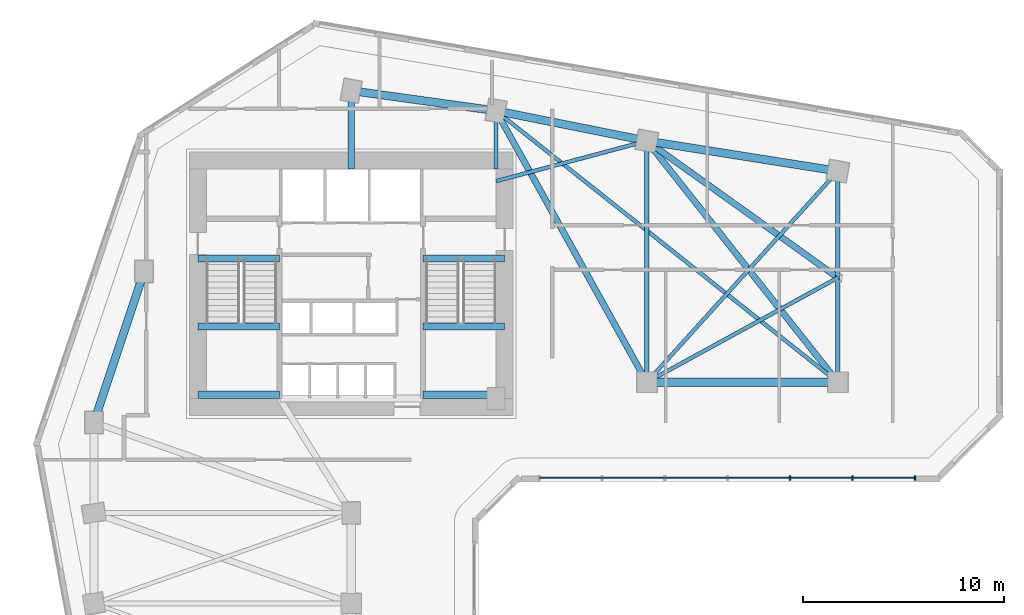
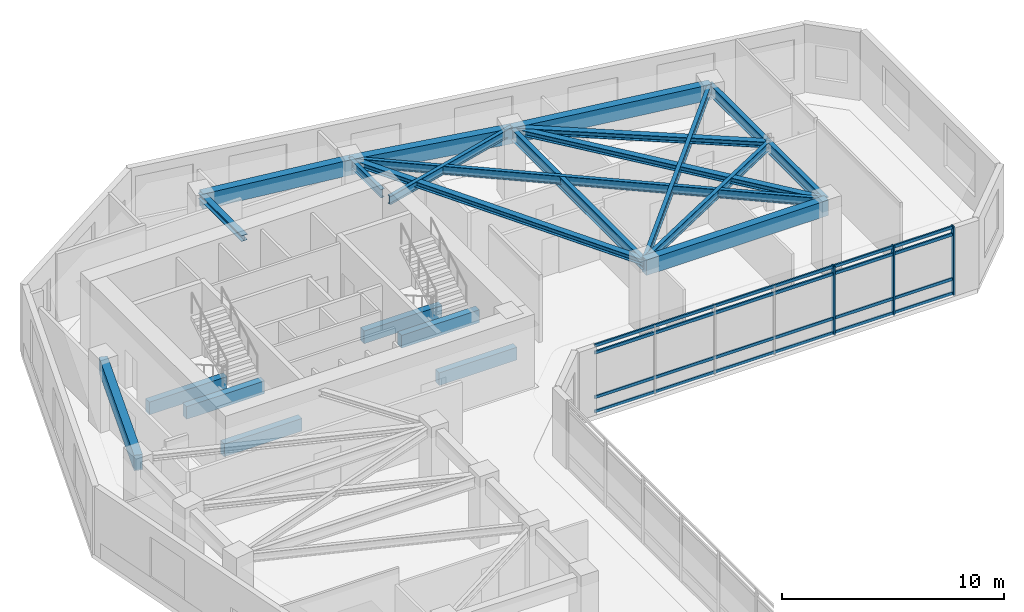
# One storey, part 3 of 9: 22 beams, 7 members, 1 element without a shape of its own.
"""IFC4 building model written with IfcOpenShell, lengths in metres."""

import ifcopenshell
import ifcopenshell.guid

model = None  # the IFC model being written
_history = None  # IfcOwnerHistory: only IFC2X3 demands one
_inside = {}  # id of a spatial element -> (the spatial element, [elements in it])
_under = {}  # id of a project, library or spatial element -> (it, [spatial elements below it])
_declared = {}  # id of a project -> (the project, [libraries it declares])
_typed = {}  # id of a type object -> (the type object, [elements of that type])
_made_of = {}  # id of a material, layer set ... -> (it, [elements and type objects made of it])


def new_model(schema):
    """Start an empty IFC model of exactly this schema.

    Asked for "IFC4X3", IfcOpenShell would pick the latest addendum, in which some entities
    have other attributes; the version numbers below select the first issue.
    IFC2X3 requires an IfcOwnerHistory on every rooted entity: one is made here for all.
    """
    global model, _history
    if schema == "IFC4X3":
        model = ifcopenshell.file(schema_version=(4, 3, 0, 0))
    else:
        model = ifcopenshell.file(schema=schema)
    _inside.clear()
    _under.clear()
    _declared.clear()
    _typed.clear()
    _made_of.clear()
    _history = None
    if model.schema == "IFC2X3":
        org = make("IfcOrganization", Name="unknown")
        user = make(
            "IfcPersonAndOrganization",
            ThePerson=make("IfcPerson", FamilyName="unknown"),
            TheOrganization=org,
        )
        app = make(
            "IfcApplication",
            ApplicationDeveloper=org,
            Version="unknown",
            ApplicationFullName="unknown",
            ApplicationIdentifier="unknown",
        )
        _history = make(
            "IfcOwnerHistory",
            OwningUser=user,
            OwningApplication=app,
            ChangeAction="ADDED",
            CreationDate=0,
        )
    return model


def make(cls, **values):
    """One entity of the class cls with the attributes given. An attribute that is None is left unset."""
    return model.create_entity(
        cls, **{name: value for name, value in values.items() if value is not None}
    )


def rooted(cls, **values):
    """An entity with a GlobalId (a new one), such as an element, a storey or a relation."""
    return make(cls, GlobalId=ifcopenshell.guid.new(), OwnerHistory=_history, **values)


def si_unit(unit_type, name, prefix=None):
    """IfcSIUnit, for example si_unit("LENGTHUNIT", "METRE", prefix="MILLI")."""
    return make("IfcSIUnit", UnitType=unit_type, Prefix=prefix, Name=name)


def assignment(units):
    """IfcUnitAssignment: the units of a project."""
    return None if units is None else make("IfcUnitAssignment", Units=units)


def point(xyz):
    """IfcCartesianPoint."""
    return None if xyz is None else make("IfcCartesianPoint", Coordinates=xyz)


def direction(xyz):
    """IfcDirection."""
    return None if xyz is None else make("IfcDirection", DirectionRatios=xyz)


def frame(location, z_axis=None, x_axis=None):
    """IfcAxis2Placement3D, a coordinate frame: its origin and axes. An axis left out is left unset."""
    return make(
        "IfcAxis2Placement3D",
        Location=point(location),
        Axis=direction(z_axis),
        RefDirection=direction(x_axis),
    )


def frame_2d(location, x_axis=None):
    """IfcAxis2Placement2D, a coordinate frame in the plane: its origin and x axis."""
    return make(
        "IfcAxis2Placement2D", Location=point(location), RefDirection=direction(x_axis)
    )


def origin():
    """The frame at (0, 0, 0) with its axes left unset."""
    return frame((0.0, 0.0, 0.0))


def origin_2d():
    """The frame at (0, 0) in the plane with its x axis left unset."""
    return frame_2d((0.0, 0.0))


def place(relative_to, where):
    """IfcLocalPlacement: puts the frame where relative to a parent placement (None: the world)."""
    return make(
        "IfcLocalPlacement", PlacementRelTo=relative_to, RelativePlacement=where
    )


def context(
    kind, dimensions, precision=None, world=None, true_north=None, identifier=None
):
    """IfcGeometricRepresentationContext, for example the 3D "Model" context."""
    return make(
        "IfcGeometricRepresentationContext",
        ContextIdentifier=identifier,
        ContextType=kind,
        CoordinateSpaceDimension=dimensions,
        Precision=precision,
        WorldCoordinateSystem=world,
        TrueNorth=true_north,
    )


def subcontext(parent, identifier, kind, view, scale=None):
    """IfcGeometricRepresentationSubContext, for example "Body" below "Model"."""
    return make(
        "IfcGeometricRepresentationSubContext",
        ContextIdentifier=identifier,
        ContextType=kind,
        ParentContext=parent,
        TargetScale=scale,
        TargetView=view,
    )


def project(units=None, contexts=None):
    """IfcProject with its units and contexts."""
    return rooted(
        "IfcProject",
        Name="project",
        RepresentationContexts=contexts,
        UnitsInContext=assignment(units),
    )


def spatial(cls, under=None, at=None, **own):
    """A site, building, storey or space (cls), placed at a placement, below another one or the project."""
    s = rooted(cls, ObjectPlacement=at, **own)
    if under is not None:
        _under.setdefault(under.id(), (under, []))[1].append(s)
    return s


def profile(cls, at=None, kind="AREA", **sizes):
    """A parametric profile (cls). Its sizes go by their IFC names, for example OverallWidth=200.0."""
    return make(cls, ProfileType=kind, Position=at, **sizes)


def rectangle(**sizes):
    """IfcRectangleProfileDef."""
    return profile("IfcRectangleProfileDef", **sizes)


def i_section(**sizes):
    """IfcIShapeProfileDef."""
    return profile("IfcIShapeProfileDef", **sizes)


def extrude(swept, where, along, depth):
    """IfcExtrudedAreaSolid: the profile swept, set in the frame where, extruded along a direction by depth."""
    return make(
        "IfcExtrudedAreaSolid",
        SweptArea=swept,
        Position=where,
        ExtrudedDirection=direction(along),
        Depth=depth,
    )


def shape(context_of_items, identifier, shape_type, items):
    """IfcShapeRepresentation: the items that make up one representation, for example the "Body"."""
    return make(
        "IfcShapeRepresentation",
        ContextOfItems=context_of_items,
        RepresentationIdentifier=identifier,
        RepresentationType=shape_type,
        Items=items,
    )


def source(mapping_origin, context_of_items, identifier, shape_type, items):
    """IfcRepresentationMap: a shape defined once, which mapped items show again and again."""
    return make(
        "IfcRepresentationMap",
        MappingOrigin=mapping_origin,
        MappedRepresentation=shape(context_of_items, identifier, shape_type, items),
    )


def transform(
    local_origin,
    x_axis=None,
    y_axis=None,
    z_axis=None,
    scale=None,
    scale2=None,
    scale3=None,
    uniform=True,
):
    """IfcCartesianTransformationOperator3D, or its non-uniform kind. x_axis, y_axis, z_axis: its Axis1, 2, 3."""
    if uniform:
        return make(
            "IfcCartesianTransformationOperator3D",
            Axis1=direction(x_axis),
            Axis2=direction(y_axis),
            LocalOrigin=point(local_origin),
            Scale=scale,
            Axis3=direction(z_axis),
        )
    return make(
        "IfcCartesianTransformationOperator3DnonUniform",
        Axis1=direction(x_axis),
        Axis2=direction(y_axis),
        LocalOrigin=point(local_origin),
        Scale=scale,
        Axis3=direction(z_axis),
        Scale2=scale2,
        Scale3=scale3,
    )


def mapped(mapping_source, mapping_target):
    """IfcMappedItem: shows the shape of a source again, moved by a transform."""
    return make(
        "IfcMappedItem", MappingSource=mapping_source, MappingTarget=mapping_target
    )


def material(Name=None, Category=None):
    """IfcMaterial."""
    return make("IfcMaterial", Name=Name, Category=Category)


def material_profile(
    of_material, cross_section, Name=None, Category=None, Priority=None
):
    """IfcMaterialProfile: a cross section and its material."""
    return make(
        "IfcMaterialProfile",
        Name=Name,
        Material=of_material,
        Profile=cross_section,
        Priority=Priority,
        Category=Category,
    )


def profile_set(profiles, Name=None, composite=None):
    """IfcMaterialProfileSet."""
    return make(
        "IfcMaterialProfileSet",
        Name=Name,
        MaterialProfiles=profiles,
        CompositeProfile=composite,
    )


def made_of(thing, what):
    """Note that an element or type object is made of a material, layer set ...; save() writes the relation."""
    if what is not None:
        _made_of.setdefault(what.id(), (what, []))[1].append(thing)
    return thing


def type_object(cls, material=None, **own):
    """A type object (cls), such as IfcWallType, which elements share."""
    return made_of(rooted(cls, **own), material)


def element(
    cls,
    number,
    at=None,
    inside=None,
    cuts=None,
    type_object=None,
    material=None,
    context=None,
    identifier="Body",
    shape_type=None,
    held_by="IfcProductDefinitionShape",
    body=None,
    shapes=None,
    **own,
):
    """One element of the class cls, such as IfcWall. Its Tag is "e" and its number.

    at: its placement. inside: the storey or other place that contains it. cuts: it is an
    opening in that element (IfcRelVoidsElement). A single representation is given by context,
    identifier, shape_type and body (its items); several are given by shapes. held_by: the class
    of the entity that holds the representations. save() writes the other relations.
    """
    e = rooted(cls, Tag="e%d" % number, ObjectPlacement=at, **own)
    if body is not None:
        shapes = [shape(context, identifier, shape_type, body)]
    if shapes is not None:
        e.Representation = make(held_by, Representations=shapes)
    if inside is not None:
        _inside.setdefault(inside.id(), (inside, []))[1].append(e)
    if cuts is not None:
        rooted(
            "IfcRelVoidsElement", RelatingBuildingElement=cuts, RelatedOpeningElement=e
        )
    if type_object is not None:
        _typed.setdefault(type_object.id(), (type_object, []))[1].append(e)
    return made_of(e, material)


def aggregate(whole, parts):
    """IfcRelAggregates: a whole, such as a stair, and the parts it consists of."""
    return rooted("IfcRelAggregates", RelatingObject=whole, RelatedObjects=parts)


def save(model, path):
    """Write the relations noted so far, then the file.

    IfcRelAggregates (storeys below a building ...), IfcRelContainedInSpatialStructure (elements
    in a storey), IfcRelDefinesByType, IfcRelAssociatesMaterial and IfcRelDeclares: one each for
    every whole, place, type object, material and project.
    """
    for whole, parts in _under.values():
        aggregate(whole, parts)
    for where, things in _inside.values():
        rooted(
            "IfcRelContainedInSpatialStructure",
            RelatedElements=things,
            RelatingStructure=where,
        )
    for kind, things in _typed.values():
        rooted("IfcRelDefinesByType", RelatedObjects=things, RelatingType=kind)
    for what, things in _made_of.values():
        rooted("IfcRelAssociatesMaterial", RelatedObjects=things, RelatingMaterial=what)
    for by, libraries in _declared.values():
        rooted("IfcRelDeclares", RelatingContext=by, RelatedDefinitions=libraries)
    model.write(path)


model = new_model("IFC4")

# Units and contexts
model_context = context("Model", 3, precision=1e-05, world=origin(), true_north=direction((0.0, 1.0)))
body_context = subcontext(model_context, "Body", "Model", "MODEL_VIEW")
ifc_project = project(units=[si_unit("LENGTHUNIT", "METRE"), si_unit("AREAUNIT", "SQUARE_METRE"), si_unit("VOLUMEUNIT", "CUBIC_METRE"), si_unit("PLANEANGLEUNIT", "RADIAN"), si_unit("MASSUNIT", "GRAM", prefix="KILO")], contexts=[model_context])

# Site, building, storey
site_placement = place(None, origin())
site = spatial("IfcSite", under=ifc_project, at=site_placement, CompositionType="ELEMENT")
building_placement = place(site_placement, origin())
building = spatial("IfcBuilding", under=site, at=building_placement, Name="Calvemar Wedge Station Tower", CompositionType="ELEMENT")
storey_placement = place(building_placement, frame((0.0, 0.0, 67.0)))
storey = spatial("IfcBuildingStorey", under=building, at=storey_placement, Name="L16", CompositionType="ELEMENT", Elevation=67.0)

# Beams
ifc_material_1 = material(Name="Concrete C70", Category="concrete")
ifc_material_profile_1 = material_profile(ifc_material_1, rectangle(XDim=0.35009765625, YDim=0.699951171875, at=origin_2d()), Name="RC350x700")
ifc_profile_set_1 = profile_set([ifc_material_profile_1], Name="Concrete C70")
beam_type_1 = type_object("IfcBeamType", Name="BM-LN1-700", PredefinedType="LINTEL", material=ifc_profile_set_1)
shared_shape_1 = source(origin(), body_context, "Body", "SweptSolid", [
    extrude(rectangle(XDim=0.35009765625, YDim=0.699951171875, at=origin_2d()), origin(), (0.0, 0.0, 1.0), 4.054931640625),
])
for number, where, z_axis, x_axis, name in (
    (1, (16.175048828125, 41.14990234375, -0.35009765625), (1.0, 0.0, 0.0), (0.0, 1.0, 0.0), "Storey L16 Stair ST-C1 Landing Trimmer Beam"),
    (2, (27.3701171875, 41.14990234375, -0.35009765625), (1.0, 0.0, 0.0), (0.0, 1.0, 0.0), "Storey L16 Stair ST-C2 Landing Trimmer Beam"),
    (3, (16.175048828125, 34.3798828125, 1.449951171875), (1.0, 0.0, 0.0), (0.0, 1.0, 0.0), "Storey L16 Stair ST-C1 Half-Landing Beam 1A"),
    (4, (16.175048828125, 37.780029296875, 1.449951171875), (1.0, 0.0, 0.0), (0.0, 1.0, 0.0), "Storey L16 Stair ST-C1 Half-Landing Beam 1B"),
    (5, (27.3701171875, 34.3798828125, 1.449951171875), (1.0, 0.0, 0.0), (0.0, 1.0, 0.0), "Storey L16 Stair ST-C2 Half-Landing Beam 1A"),
    (6, (27.3701171875, 37.780029296875, 1.449951171875), (1.0, 0.0, 0.0), (0.0, 1.0, 0.0), "Storey L16 Stair ST-C2 Half-Landing Beam 1B"),
):
    element("IfcBeam", number, at=place(storey_placement, frame(where, z_axis=z_axis, x_axis=x_axis)), inside=storey, type_object=beam_type_1, Name=name, PredefinedType="LINTEL", context=body_context, shape_type="MappedRepresentation", body=[
        mapped(shared_shape_1, transform((0.0, 0.0, 0.0), scale=1.0)),
    ])
ifc_material_2 = material(Name="Concrete C60", Category="concrete")
ifc_material_profile_2 = material_profile(ifc_material_2, rectangle(XDim=0.39990234375, YDim=0.85009765625, at=origin_2d()), Name="RC400x850")
ifc_profile_set_2 = profile_set([ifc_material_profile_2], Name="Concrete C60")
beam_type_2 = type_object("IfcBeamType", Name="BM-SP1-850", PredefinedType="SPANDREL", material=ifc_profile_set_2)
shared_shape_2 = source(origin(), body_context, "Body", "SweptSolid", [
    extrude(rectangle(XDim=0.39990234375, YDim=0.85009765625, at=origin_2d()), origin(), (0.0, 0.0, 1.0), 7.90576171875),
])
beam_1_placement = place(storey_placement, frame((11.0, 33.0, 3.324951171875), z_axis=(0.316227766017, 0.948683298051, 0.0), x_axis=(-0.948683298051, 0.316227766017, 0.0)))
element("IfcBeam", 7, at=beam_1_placement, inside=storey, type_object=beam_type_2, Name="Storey L16 Spandrel T-NW1-T-NW2", PredefinedType="SPANDREL", context=body_context, shape_type="MappedRepresentation", body=[
    mapped(shared_shape_2, transform((0.0, 0.0, 0.0), scale=1.0)),
])
shared_shape_3 = source(origin(), body_context, "Body", "SweptSolid", [
    extrude(rectangle(XDim=0.39990234375, YDim=0.85009765625, at=origin_2d()), origin(), (0.0, 0.0, 1.0), 7.26904296875),
])
beam_2_placement = place(storey_placement, frame((23.800048828125, 49.5, 3.324951171875), z_axis=(0.990492146053, -0.13756928657, 0.0), x_axis=(0.13756928657, 0.990492146053, 0.0)))
element("IfcBeam", 8, at=beam_2_placement, inside=storey, type_object=beam_type_2, Name="Storey L16 Spandrel T-N1-T-N2", PredefinedType="SPANDREL", context=body_context, shape_type="MappedRepresentation", body=[
    mapped(shared_shape_3, transform((0.0, 0.0, 0.0), scale=1.0)),
])
shared_shape_4 = source(origin(), body_context, "Body", "SweptSolid", [
    extrude(rectangle(XDim=0.39990234375, YDim=0.85009765625, at=origin_2d()), origin(), (0.0, 0.0, 1.0), 7.6484375),
])
beam_3_placement = place(storey_placement, frame((31.0, 48.5, 3.324951171875), z_axis=(0.980580675691, -0.196116135138, 0.0), x_axis=(0.196116135138, 0.980580675691, 0.0)))
element("IfcBeam", 9, at=beam_3_placement, inside=storey, type_object=beam_type_2, Name="Storey L16 Spandrel T-N2-T-NU3", PredefinedType="SPANDREL", context=body_context, shape_type="MappedRepresentation", body=[
    mapped(shared_shape_4, transform((0.0, 0.0, 0.0), scale=1.0)),
])
shared_shape_5 = source(origin(), body_context, "Body", "SweptSolid", [
    extrude(rectangle(XDim=0.39990234375, YDim=0.85009765625, at=origin_2d()), origin(), (0.0, 0.0, 1.0), 9.61767578125),
])
beam_4_placement = place(storey_placement, frame((38.5, 47.0, 3.324951171875), z_axis=(0.987762965329, -0.155962573473, 0.0), x_axis=(0.155962573473, 0.987762965329, 0.0)))
element("IfcBeam", 10, at=beam_4_placement, inside=storey, type_object=beam_type_2, Name="Storey L16 Spandrel T-NU3-T-NU4", PredefinedType="SPANDREL", context=body_context, shape_type="MappedRepresentation", body=[
    mapped(shared_shape_5, transform((0.0, 0.0, 0.0), scale=1.0)),
])
shared_shape_6 = source(origin(), body_context, "Body", "SweptSolid", [
    extrude(rectangle(XDim=0.39990234375, YDim=0.85009765625, at=origin_2d()), origin(), (0.0, 0.0, 1.0), 9.5),
])
beam_5_placement = place(storey_placement, frame((38.5, 35.0, 3.324951171875), z_axis=(1.0, 0.0, 0.0), x_axis=(0.0, 1.0, 0.0)))
element("IfcBeam", 11, at=beam_5_placement, inside=storey, type_object=beam_type_2, Name="Storey L16 Spandrel T-NL2-T-NL3", PredefinedType="SPANDREL", context=body_context, shape_type="MappedRepresentation", body=[
    mapped(shared_shape_6, transform((0.0, 0.0, 0.0), scale=1.0)),
])
ifc_material_3 = material(Name="Structural steel ASTM A572 Grade 50", Category="steel")
ifc_material_profile_3 = material_profile(ifc_material_3, i_section(OverallWidth=0.22998046875, OverallDepth=0.616943359375, WebThickness=0.01318359375, FlangeThickness=0.022216796875, FilletRadius=0.012939453125, at=origin_2d()), Name="W610x140")
ifc_profile_set_3 = profile_set([ifc_material_profile_3], Name="Structural steel ASTM A572 Grade 50")
beam_type_3 = type_object("IfcBeamType", Name="BM-SB2-W610", PredefinedType="BEAM", material=ifc_profile_set_3)
shared_shape_7 = source(origin(), body_context, "Body", "SweptSolid", [
    extrude(i_section(OverallWidth=0.22998046875, OverallDepth=0.616943359375, WebThickness=0.01318359375, FlangeThickness=0.022216796875, FilletRadius=0.012939453125, at=origin_2d()), origin(), (0.0, 0.0, 1.0), 12.0),
])
beam_6_placement = place(storey_placement, frame((38.5, 47.0, 3.44140625), z_axis=(0.0, -1.0, 0.0), x_axis=(1.0, 0.0, 0.0)))
element("IfcBeam", 12, at=beam_6_placement, inside=storey, type_object=beam_type_3, Name="Storey L16 Floor Beam T-NU3-T-NL2", PredefinedType="BEAM", context=body_context, shape_type="MappedRepresentation", body=[
    mapped(shared_shape_7, transform((0.0, 0.0, 0.0), scale=1.0)),
])
shared_shape_8 = source(origin(), body_context, "Body", "SweptSolid", [
    extrude(i_section(OverallWidth=0.22998046875, OverallDepth=0.616943359375, WebThickness=0.01318359375, FlangeThickness=0.022216796875, FilletRadius=0.012939453125, at=origin_2d()), origin(), (0.0, 0.0, 1.0), 10.5),
])
beam_7_placement = place(storey_placement, frame((48.0, 45.5, 3.44140625), z_axis=(0.0, -1.0, 0.0), x_axis=(1.0, 0.0, 0.0)))
element("IfcBeam", 13, at=beam_7_placement, inside=storey, type_object=beam_type_3, Name="Storey L16 Floor Beam T-NU4-T-NL3", PredefinedType="BEAM", context=body_context, shape_type="MappedRepresentation", body=[
    mapped(shared_shape_8, transform((0.0, 0.0, 0.0), scale=1.0)),
])
ifc_material_profile_4 = material_profile(ifc_material_3, i_section(OverallWidth=0.30908203125, OverallDepth=0.322998046875, WebThickness=0.013916015625, FlangeThickness=0.02294921875, FilletRadius=0.014892578125, at=origin_2d()), Name="W310x143")
ifc_profile_set_4 = profile_set([ifc_material_profile_4], Name="Structural steel ASTM A572 Grade 50")
beam_type_4 = type_object("IfcBeamType", Name="BM-J5-W310H", PredefinedType="JOIST", material=ifc_profile_set_4)
shared_shape_9 = source(origin(), body_context, "Body", "SweptSolid", [
    extrude(i_section(OverallWidth=0.30908203125, OverallDepth=0.322998046875, WebThickness=0.013916015625, FlangeThickness=0.02294921875, FilletRadius=0.014892578125, at=origin_2d()), origin(), (0.0, 0.0, 1.0), 15.443359375),
])
beam_8_placement = place(storey_placement, frame((31.0, 48.5, 3.58837890625), z_axis=(0.485642931179, -0.874157276122, 0.0), x_axis=(0.874157276122, 0.485642931179, 0.0)))
element("IfcBeam", 14, at=beam_8_placement, inside=storey, type_object=beam_type_4, Name="Storey L16 Floor Beam T-N2-T-NL2", PredefinedType="JOIST", context=body_context, shape_type="MappedRepresentation", body=[
    mapped(shared_shape_9, transform((0.0, 0.0, 0.0), scale=1.0)),
])
ifc_material_profile_5 = material_profile(ifc_material_3, i_section(OverallWidth=0.19189453125, OverallDepth=0.462890625, WebThickness=0.010498046875, FlangeThickness=0.017578125, FilletRadius=0.012939453125, at=origin_2d()), Name="W460x89")
ifc_profile_set_5 = profile_set([ifc_material_profile_5], Name="Structural steel ASTM A572 Grade 50")
beam_type_5 = type_object("IfcBeamType", Name="BM-J1-W460", PredefinedType="JOIST", material=ifc_profile_set_5)
shared_shape_10 = source(origin(), body_context, "Body", "SweptSolid", [
    extrude(i_section(OverallWidth=0.19189453125, OverallDepth=0.462890625, WebThickness=0.010498046875, FlangeThickness=0.017578125, FilletRadius=0.012939453125, at=origin_2d()), origin(), (0.0, 0.0, 1.0), 21.708251953125),
])
beam_9_placement = place(storey_placement, frame((31.0, 48.5, 3.5185546875), z_axis=(0.783110847498, -0.621882143602, 0.0), x_axis=(0.621882143602, 0.783110847498, 0.0)))
element("IfcBeam", 15, at=beam_9_placement, inside=storey, type_object=beam_type_5, Name="Storey L16 Floor Beam T-N2-T-NL3", PredefinedType="JOIST", context=body_context, shape_type="MappedRepresentation", body=[
    mapped(shared_shape_10, transform((0.0, 0.0, 0.0), scale=1.0)),
])
shared_shape_11 = source(origin(), body_context, "Body", "SweptSolid", [
    extrude(i_section(OverallWidth=0.30908203125, OverallDepth=0.322998046875, WebThickness=0.013916015625, FlangeThickness=0.02294921875, FilletRadius=0.014892578125, at=origin_2d()), origin(), (0.0, 0.0, 1.0), 15.30517578125),
])
beam_10_placement = place(storey_placement, frame((38.5, 47.0, 3.58837890625), z_axis=(0.620702944366, -0.784045824462, 0.0), x_axis=(0.784045824462, 0.620702944366, 0.0)))
element("IfcBeam", 16, at=beam_10_placement, inside=storey, type_object=beam_type_4, Name="Storey L16 Floor Beam T-NU3-T-NL3", PredefinedType="JOIST", context=body_context, shape_type="MappedRepresentation", body=[
    mapped(shared_shape_11, transform((0.0, 0.0, 0.0), scale=1.0)),
])
shared_shape_12 = source(origin(), body_context, "Body", "SweptSolid", [
    extrude(i_section(OverallWidth=0.19189453125, OverallDepth=0.462890625, WebThickness=0.010498046875, FlangeThickness=0.017578125, FilletRadius=0.012939453125, at=origin_2d()), origin(), (0.0, 0.0, 1.0), 14.159912109375),
])
beam_11_placement = place(storey_placement, frame((38.5, 35.0, 3.5185546875), z_axis=(0.670913323969, 0.741535779124, 0.0), x_axis=(-0.741535779124, 0.670913323969, 0.0)))
element("IfcBeam", 17, at=beam_11_placement, inside=storey, type_object=beam_type_5, Name="Storey L16 Floor Beam T-NL2-T-NU4", PredefinedType="JOIST", context=body_context, shape_type="MappedRepresentation", body=[
    mapped(shared_shape_12, transform((0.0, 0.0, 0.0), scale=1.0)),
])
shared_shape_13 = source(origin(), body_context, "Body", "SweptSolid", [
    extrude(i_section(OverallWidth=0.30908203125, OverallDepth=0.322998046875, WebThickness=0.013916015625, FlangeThickness=0.02294921875, FilletRadius=0.014892578125, at=origin_2d()), origin(), (0.0, 0.0, 1.0), 11.682861328125),
])
beam_12_placement = place(storey_placement, frame((48.0, 40.199951171875, 3.58837890625), z_axis=(-0.81315274409, 0.582050354161, 0.0), x_axis=(-0.582050354161, -0.81315274409, 0.0)))
element("IfcBeam", 18, at=beam_12_placement, inside=storey, type_object=beam_type_4, Name="Storey L16 Floor Beam T-NTIP-A-T-NU3", PredefinedType="JOIST", context=body_context, shape_type="MappedRepresentation", body=[
    mapped(shared_shape_13, transform((0.0, 0.0, 0.0), scale=1.0)),
])
shared_shape_14 = source(origin(), body_context, "Body", "SweptSolid", [
    extrude(i_section(OverallWidth=0.19189453125, OverallDepth=0.462890625, WebThickness=0.010498046875, FlangeThickness=0.017578125, FilletRadius=0.012939453125, at=origin_2d()), origin(), (0.0, 0.0, 1.0), 10.830078125),
])
beam_13_placement = place(storey_placement, frame((48.0, 40.199951171875, 3.5185546875), z_axis=(-0.877190767997, -0.480142017053, 0.0), x_axis=(0.480142017053, -0.877190767997, 0.0)))
element("IfcBeam", 19, at=beam_13_placement, inside=storey, type_object=beam_type_5, Name="Storey L16 Floor Beam T-NTIP-A-T-NL2", PredefinedType="JOIST", context=body_context, shape_type="MappedRepresentation", body=[
    mapped(shared_shape_14, transform((0.0, 0.0, 0.0), scale=1.0)),
])
shared_shape_15 = source(origin(), body_context, "Body", "SweptSolid", [
    extrude(i_section(OverallWidth=0.19189453125, OverallDepth=0.462890625, WebThickness=0.010498046875, FlangeThickness=0.017578125, FilletRadius=0.012939453125, at=origin_2d()), origin(), (0.0, 0.0, 1.0), 7.76220703125),
])
beam_14_placement = place(storey_placement, frame((31.0, 45.0, 3.5185546875), z_axis=(0.966234939601, 0.25766265056, 0.0), x_axis=(-0.25766265056, 0.966234939601, 0.0)))
element("IfcBeam", 20, at=beam_14_placement, inside=storey, type_object=beam_type_5, Name="Storey L16 Core-to-Column Joist CJ-E2", PredefinedType="JOIST", context=body_context, shape_type="MappedRepresentation", body=[
    mapped(shared_shape_15, transform((0.0, 0.0, 0.0), scale=1.0)),
])
shared_shape_16 = source(origin(), body_context, "Body", "SweptSolid", [
    extrude(i_section(OverallWidth=0.30908203125, OverallDepth=0.322998046875, WebThickness=0.013916015625, FlangeThickness=0.02294921875, FilletRadius=0.014892578125, at=origin_2d()), origin(), (0.0, 0.0, 1.0), 3.89990234375),
])
beam_15_placement = place(storey_placement, frame((23.800048828125, 45.60009765625, 3.58837890625), z_axis=(0.0, 1.0, 0.0), x_axis=(-1.0, 0.0, 0.0)))
element("IfcBeam", 21, at=beam_15_placement, inside=storey, type_object=beam_type_4, Name="Storey L16 Core-to-Column Joist CJ-N1", PredefinedType="JOIST", context=body_context, shape_type="MappedRepresentation", body=[
    mapped(shared_shape_16, transform((0.0, 0.0, 0.0), scale=1.0)),
])
shared_shape_17 = source(origin(), body_context, "Body", "SweptSolid", [
    extrude(i_section(OverallWidth=0.19189453125, OverallDepth=0.462890625, WebThickness=0.010498046875, FlangeThickness=0.017578125, FilletRadius=0.012939453125, at=origin_2d()), origin(), (0.0, 0.0, 1.0), 2.89990234375),
])
beam_16_placement = place(storey_placement, frame((31.0, 45.60009765625, 3.5185546875), z_axis=(0.0, 1.0, 0.0), x_axis=(-1.0, 0.0, 0.0)))
element("IfcBeam", 22, at=beam_16_placement, inside=storey, type_object=beam_type_5, Name="Storey L16 Core-to-Column Joist CJ-N2", PredefinedType="JOIST", context=body_context, shape_type="MappedRepresentation", body=[
    mapped(shared_shape_17, transform((0.0, 0.0, 0.0), scale=1.0)),
])

# Curtain wall, members
ifc_material_4 = material(Name="Anodised aluminium 6063-T6", Category="aluminium")
curtain_wall_type = type_object("IfcCurtainWallType", Name="CW1", PredefinedType="NOTDEFINED", material=ifc_material_4)
curtain_wall_placement = place(storey_placement, origin())
curtain_wall = element("IfcCurtainWall", 23, at=curtain_wall_placement, inside=storey, type_object=curtain_wall_type, Name="Storey L16 CW1 Recessed Unitised Curtain Wall 6", PredefinedType="NOTDEFINED")
ifc_material_profile_6 = material_profile(ifc_material_4, rectangle(XDim=0.080078125, YDim=0.219970703125, at=origin_2d()), Name="AL-MUL-80x220")
ifc_profile_set_6 = profile_set([ifc_material_profile_6], Name="Anodised aluminium 6063-T6")
member_type_1 = type_object("IfcMemberType", Name="CW1-MUL", PredefinedType="MULLION", material=ifc_profile_set_6)
shared_shape_18 = source(origin(), body_context, "Body", "SweptSolid", [
    extrude(rectangle(XDim=0.080078125, YDim=0.219970703125, at=origin_2d()), origin(), (0.0, 0.0, 1.0), 3.800048828125),
])
member_1_placement = place(storey_placement, frame((45.614013671875, 30.238037109375, -0.050048828125), z_axis=(0.0, 0.0, 1.0), x_axis=(1.0, 0.0, 0.0)))
member_1 = element("IfcMember", 24, at=member_1_placement, type_object=member_type_1, Name="CW1 mullion 5", PredefinedType="MULLION", context=body_context, shape_type="MappedRepresentation", body=[
    mapped(shared_shape_18, transform((0.0, 0.0, 0.0), scale=1.0)),
])
member_2_placement = place(storey_placement, frame((48.725830078125, 30.238037109375, -0.050048828125), z_axis=(0.0, 0.0, 1.0), x_axis=(1.0, 0.0, 0.0)))
member_2 = element("IfcMember", 25, at=member_2_placement, type_object=member_type_1, Name="CW1 mullion 6", PredefinedType="MULLION", context=body_context, shape_type="MappedRepresentation", body=[
    mapped(shared_shape_18, transform((0.0, 0.0, 0.0), scale=1.0)),
])
member_3_placement = place(storey_placement, frame((51.837890625, 30.238037109375, -0.050048828125), z_axis=(0.0, 0.0, 1.0), x_axis=(1.0, 0.0, 0.0)))
member_3 = element("IfcMember", 26, at=member_3_placement, type_object=member_type_1, Name="CW1 mullion 7", PredefinedType="MULLION", context=body_context, shape_type="MappedRepresentation", body=[
    mapped(shared_shape_18, transform((0.0, 0.0, 0.0), scale=1.0)),
])
ifc_material_profile_7 = material_profile(ifc_material_4, rectangle(XDim=0.080078125, YDim=0.159912109375, at=origin_2d()), Name="AL-TRN-80x160")
ifc_profile_set_7 = profile_set([ifc_material_profile_7], Name="Anodised aluminium 6063-T6")
member_type_2 = type_object("IfcMemberType", Name="CW1-TRN", PredefinedType="USERDEFINED", material=ifc_profile_set_7)
shared_shape_19 = source(origin(), body_context, "Body", "SweptSolid", [
    extrude(rectangle(XDim=0.080078125, YDim=0.159912109375, at=origin_2d()), origin(), (0.0, 0.0, 1.0), 18.671875),
])
member_4_placement = place(storey_placement, frame((33.166015625, 30.238037109375, 0.06005859375), z_axis=(1.0, 0.0, 0.0), x_axis=(0.0, 1.0, 0.0)))
member_4 = element("IfcMember", 27, at=member_4_placement, type_object=member_type_2, Name="CW1 transom 1", ObjectType="TRANSOM", PredefinedType="USERDEFINED", context=body_context, shape_type="MappedRepresentation", body=[
    mapped(shared_shape_19, transform((0.0, 0.0, 0.0), scale=1.0)),
])
member_5_placement = place(storey_placement, frame((33.166015625, 30.238037109375, 0.85009765625), z_axis=(1.0, 0.0, 0.0), x_axis=(0.0, 1.0, 0.0)))
member_5 = element("IfcMember", 28, at=member_5_placement, type_object=member_type_2, Name="CW1 transom 2", ObjectType="TRANSOM", PredefinedType="USERDEFINED", context=body_context, shape_type="MappedRepresentation", body=[
    mapped(shared_shape_19, transform((0.0, 0.0, 0.0), scale=1.0)),
])
member_6_placement = place(storey_placement, frame((33.166015625, 30.238037109375, 3.300048828125), z_axis=(1.0, 0.0, 0.0), x_axis=(0.0, 1.0, 0.0)))
member_6 = element("IfcMember", 29, at=member_6_placement, type_object=member_type_2, Name="CW1 transom 3", ObjectType="TRANSOM", PredefinedType="USERDEFINED", context=body_context, shape_type="MappedRepresentation", body=[
    mapped(shared_shape_19, transform((0.0, 0.0, 0.0), scale=1.0)),
])
member_7_placement = place(storey_placement, frame((33.166015625, 30.238037109375, 3.68994140625), z_axis=(1.0, 0.0, 0.0), x_axis=(0.0, 1.0, 0.0)))
member_7 = element("IfcMember", 30, at=member_7_placement, type_object=member_type_2, Name="CW1 transom 4", ObjectType="TRANSOM", PredefinedType="USERDEFINED", context=body_context, shape_type="MappedRepresentation", body=[
    mapped(shared_shape_19, transform((0.0, 0.0, 0.0), scale=1.0)),
])
aggregate(curtain_wall, [member_1, member_2, member_3, member_4, member_5, member_6, member_7])

save(model, "model.ifc")
